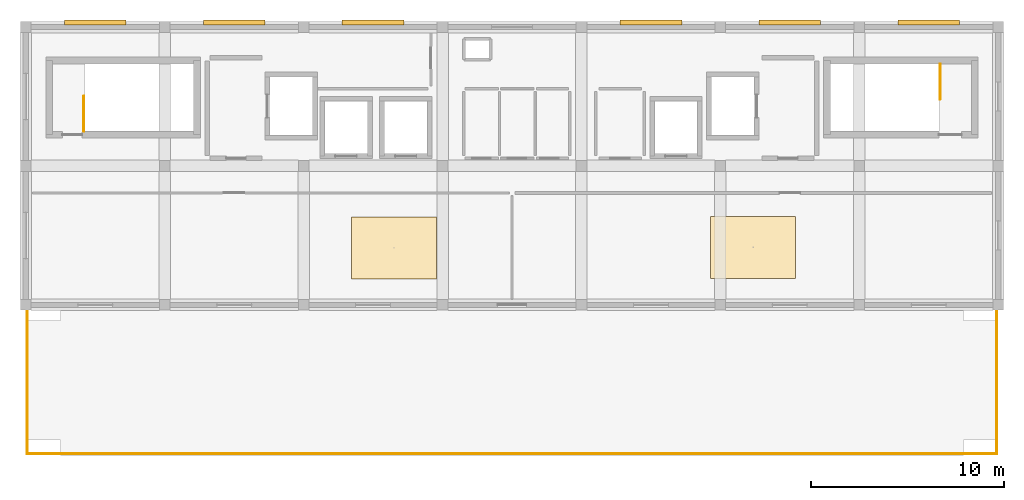
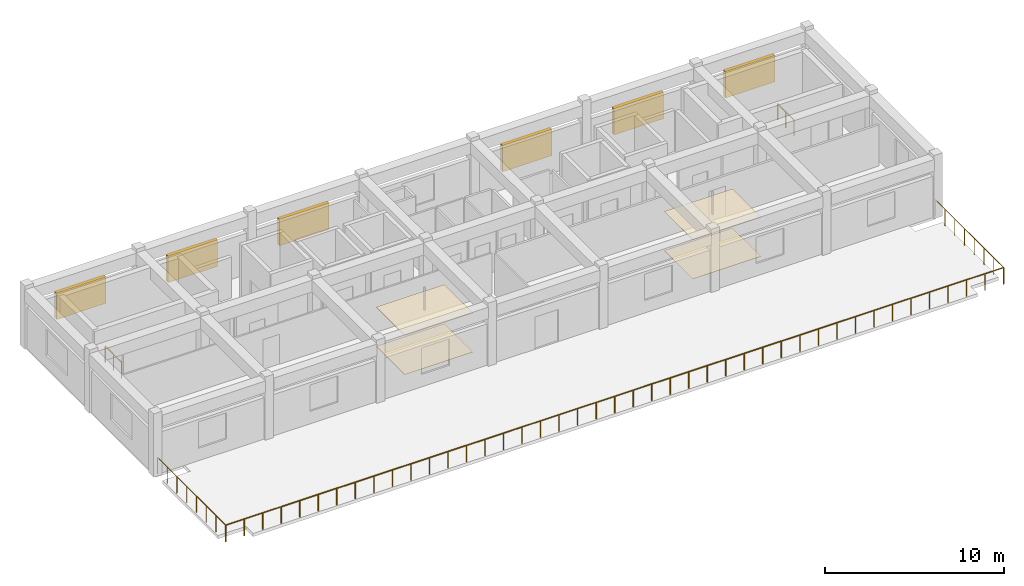
# One storey, part 6 of 6: 6 shading devices, 5 railings, 4 coverings.
"""IFC4 building model written with IfcOpenShell, lengths in metres."""

from ifc_helpers import new_model, si_unit, direction, frame, origin, origin_2d, place, context, subcontext, project, spatial, rectangle, circle, extrude, material, layer, layer_set, type_object, element, save


model = new_model("IFC4")

# Units and contexts
model_context = context("Model", 3, precision=1e-05, world=origin(), true_north=direction((0.0, 1.0)))
body_context = subcontext(model_context, "Body", "Model", "MODEL_VIEW")
ifc_project = project(units=[si_unit("LENGTHUNIT", "METRE"), si_unit("AREAUNIT", "SQUARE_METRE"), si_unit("VOLUMEUNIT", "CUBIC_METRE"), si_unit("PLANEANGLEUNIT", "RADIAN"), si_unit("MASSUNIT", "GRAM", prefix="KILO")], contexts=[model_context])

# Site, building, storey
site_placement = place(None, origin())
site = spatial("IfcSite", under=ifc_project, at=site_placement, CompositionType="ELEMENT")
building_placement = place(site_placement, origin())
building = spatial("IfcBuilding", under=site, at=building_placement, Name="Kazehaya Institute of Natural Sciences", CompositionType="ELEMENT")
storey_placement = place(building_placement, frame((0.0, 0.0, 41.93994140625)))
storey = spatial("IfcBuildingStorey", under=building, at=storey_placement, Name="L09", CompositionType="ELEMENT", Elevation=41.93994140625)

# Coverings
ifc_material_1 = material(Name="Mineral-fibre acoustic ceiling tile")
ifc_layer_1 = layer(ifc_material_1, 0.02490234375, Name="Mineral-fibre acoustic ceiling tile")
ifc_layer_set_1 = layer_set([ifc_layer_1], Name="Mineral-fibre acoustic ceiling tile")
covering_type_1 = type_object("IfcCoveringType", Name="COV-CEIL-AC", PredefinedType="CEILING", material=ifc_layer_set_1)
for number, where, z_axis, x_axis, name in (
    (1, (80.884033203125, 16.951904296875, 2.667724609375), (0.0, 0.0, 1.0), (1.0, 0.0, 0.0), "L09 Research Library and Reading Room ceiling 72"),
    (2, (99.5, 16.97509765625, 2.667724609375), (0.0, 0.0, 1.0), (1.0, 0.0, 0.0), "L09 Senior Fellow Write-up Office ceiling 73"),
):
    element("IfcCovering", number, at=place(storey_placement, frame(where, z_axis=z_axis, x_axis=x_axis)), inside=storey, type_object=covering_type_1, Name=name, PredefinedType="CEILING", context=body_context, shape_type="SweptSolid", body=[
        extrude(rectangle(XDim=4.39990234375, YDim=3.199951171875, at=origin_2d()), origin(), (0.0, 0.0, 1.0), 0.02490234375),
    ])
ifc_material_2 = material(Name="Polished Sawara stone terrazzo flooring", Category="masonry")
ifc_layer_2 = layer(ifc_material_2, 0.02001953125, Name="Polished Sawara stone terrazzo flooring", Category="masonry")
ifc_layer_set_2 = layer_set([ifc_layer_2], Name="Polished Sawara stone terrazzo flooring")
covering_type_2 = type_object("IfcCoveringType", Name="COV-FLR-TRZ", PredefinedType="FLOORING", material=ifc_layer_set_2)
for number, where, z_axis, x_axis, name in (
    (3, (80.884033203125, 16.951904296875, 0.0), (0.0, 0.0, 1.0), (1.0, 0.0, 0.0), "L09 Research Library and Reading Room finish flooring 72"),
    (4, (99.5, 16.97509765625, 0.0), (0.0, 0.0, 1.0), (1.0, 0.0, 0.0), "L09 Senior Fellow Write-up Office finish flooring 73"),
):
    element("IfcCovering", number, at=place(storey_placement, frame(where, z_axis=z_axis, x_axis=x_axis)), inside=storey, type_object=covering_type_2, Name=name, PredefinedType="FLOORING", context=body_context, shape_type="SweptSolid", body=[
        extrude(rectangle(XDim=4.39990234375, YDim=3.199951171875, at=origin_2d()), origin(), (0.0, 0.0, 1.0), 0.02001953125),
    ])

# Railings
ifc_material_3 = material(Name="Precast limestone and bronze balustrade", Category="masonry")
railing_type_1 = type_object("IfcRailingType", Name="RL-GUARD-TER", PredefinedType="BALUSTRADE", material=ifc_material_3)
railing_1_placement = place(storey_placement, frame((61.8798828125, 6.280029296875, 0.0)))
element("IfcRailing", 5, at=railing_1_placement, inside=storey, type_object=railing_type_1, Name="L09 terrace balustrade GRD-L09-028", PredefinedType="BALUSTRADE", context=body_context, shape_type="SweptSolid", body=[
    extrude(circle(Radius=0.02392578125, at=origin_2d()), frame((0.0, 0.0, 1.1259765625), z_axis=(1.0, 0.0, 0.0), x_axis=(0.0, 1.0, 0.0)), (0.0, 0.0, 1.0), 50.240234375),
    extrude(circle(Radius=0.02099609375, at=origin_2d()), origin(), (0.0, 0.0, 1.0), 1.101806640625),
    extrude(circle(Radius=0.02099609375, at=origin_2d()), frame((1.1962890625, 0.0, 0.0)), (0.0, 0.0, 1.0), 1.101806640625),
    extrude(circle(Radius=0.02099609375, at=origin_2d()), frame((2.392333984375, 0.0, 0.0)), (0.0, 0.0, 1.0), 1.101806640625),
    extrude(circle(Radius=0.02099609375, at=origin_2d()), frame((3.588623046875, 0.0, 0.0)), (0.0, 0.0, 1.0), 1.101806640625),
    extrude(circle(Radius=0.02099609375, at=origin_2d()), frame((4.78466796875, 0.0, 0.0)), (0.0, 0.0, 1.0), 1.101806640625),
    extrude(circle(Radius=0.02099609375, at=origin_2d()), frame((5.98095703125, 0.0, 0.0)), (0.0, 0.0, 1.0), 1.101806640625),
    extrude(circle(Radius=0.02099609375, at=origin_2d()), frame((7.17724609375, 0.0, 0.0)), (0.0, 0.0, 1.0), 1.101806640625),
    extrude(circle(Radius=0.02099609375, at=origin_2d()), frame((8.373291015625, 0.0, 0.0)), (0.0, 0.0, 1.0), 1.101806640625),
    extrude(circle(Radius=0.02099609375, at=origin_2d()), frame((9.569580078125, 0.0, 0.0)), (0.0, 0.0, 1.0), 1.101806640625),
    extrude(circle(Radius=0.02099609375, at=origin_2d()), frame((10.765869140625, 0.0, 0.0)), (0.0, 0.0, 1.0), 1.101806640625),
    extrude(circle(Radius=0.02099609375, at=origin_2d()), frame((11.9619140625, 0.0, 0.0)), (0.0, 0.0, 1.0), 1.101806640625),
    extrude(circle(Radius=0.02099609375, at=origin_2d()), frame((13.158203125, 0.0, 0.0)), (0.0, 0.0, 1.0), 1.101806640625),
    extrude(circle(Radius=0.02099609375, at=origin_2d()), frame((14.354248046875, 0.0, 0.0)), (0.0, 0.0, 1.0), 1.101806640625),
    extrude(circle(Radius=0.02099609375, at=origin_2d()), frame((15.550537109375, 0.0, 0.0)), (0.0, 0.0, 1.0), 1.101806640625),
    extrude(circle(Radius=0.02099609375, at=origin_2d()), frame((16.746826171875, 0.0, 0.0)), (0.0, 0.0, 1.0), 1.101806640625),
    extrude(circle(Radius=0.02099609375, at=origin_2d()), frame((17.94287109375, 0.0, 0.0)), (0.0, 0.0, 1.0), 1.101806640625),
    extrude(circle(Radius=0.02099609375, at=origin_2d()), frame((19.13916015625, 0.0, 0.0)), (0.0, 0.0, 1.0), 1.101806640625),
    extrude(circle(Radius=0.02099609375, at=origin_2d()), frame((20.33544921875, 0.0, 0.0)), (0.0, 0.0, 1.0), 1.101806640625),
    extrude(circle(Radius=0.02099609375, at=origin_2d()), frame((21.531494140625, 0.0, 0.0)), (0.0, 0.0, 1.0), 1.101806640625),
    extrude(circle(Radius=0.02099609375, at=origin_2d()), frame((22.727783203125, 0.0, 0.0)), (0.0, 0.0, 1.0), 1.101806640625),
    extrude(circle(Radius=0.02099609375, at=origin_2d()), frame((23.923828125, 0.0, 0.0)), (0.0, 0.0, 1.0), 1.101806640625),
    extrude(circle(Radius=0.02099609375, at=origin_2d()), frame((25.1201171875, 0.0, 0.0)), (0.0, 0.0, 1.0), 1.101806640625),
    extrude(circle(Radius=0.02099609375, at=origin_2d()), frame((26.31640625, 0.0, 0.0)), (0.0, 0.0, 1.0), 1.101806640625),
    extrude(circle(Radius=0.02099609375, at=origin_2d()), frame((27.512451171875, 0.0, 0.0)), (0.0, 0.0, 1.0), 1.101806640625),
    extrude(circle(Radius=0.02099609375, at=origin_2d()), frame((28.708740234375, 0.0, 0.0)), (0.0, 0.0, 1.0), 1.101806640625),
    extrude(circle(Radius=0.02099609375, at=origin_2d()), frame((29.90478515625, 0.0, 0.0)), (0.0, 0.0, 1.0), 1.101806640625),
    extrude(circle(Radius=0.02099609375, at=origin_2d()), frame((31.10107421875, 0.0, 0.0)), (0.0, 0.0, 1.0), 1.101806640625),
    extrude(circle(Radius=0.02099609375, at=origin_2d()), frame((32.29736328125, 0.0, 0.0)), (0.0, 0.0, 1.0), 1.101806640625),
    extrude(circle(Radius=0.02099609375, at=origin_2d()), frame((33.493408203125, 0.0, 0.0)), (0.0, 0.0, 1.0), 1.101806640625),
    extrude(circle(Radius=0.02099609375, at=origin_2d()), frame((34.689697265625, 0.0, 0.0)), (0.0, 0.0, 1.0), 1.101806640625),
    extrude(circle(Radius=0.02099609375, at=origin_2d()), frame((35.885986328125, 0.0, 0.0)), (0.0, 0.0, 1.0), 1.101806640625),
    extrude(circle(Radius=0.02099609375, at=origin_2d()), frame((37.08203125, 0.0, 0.0)), (0.0, 0.0, 1.0), 1.101806640625),
    extrude(circle(Radius=0.02099609375, at=origin_2d()), frame((38.2783203125, 0.0, 0.0)), (0.0, 0.0, 1.0), 1.101806640625),
    extrude(circle(Radius=0.02099609375, at=origin_2d()), frame((39.474365234375, 0.0, 0.0)), (0.0, 0.0, 1.0), 1.101806640625),
    extrude(circle(Radius=0.02099609375, at=origin_2d()), frame((40.670654296875, 0.0, 0.0)), (0.0, 0.0, 1.0), 1.101806640625),
    extrude(circle(Radius=0.02099609375, at=origin_2d()), frame((41.866943359375, 0.0, 0.0)), (0.0, 0.0, 1.0), 1.101806640625),
    extrude(circle(Radius=0.02099609375, at=origin_2d()), frame((43.06298828125, 0.0, 0.0)), (0.0, 0.0, 1.0), 1.101806640625),
    extrude(circle(Radius=0.02099609375, at=origin_2d()), frame((44.25927734375, 0.0, 0.0)), (0.0, 0.0, 1.0), 1.101806640625),
    extrude(circle(Radius=0.02099609375, at=origin_2d()), frame((45.45556640625, 0.0, 0.0)), (0.0, 0.0, 1.0), 1.101806640625),
    extrude(circle(Radius=0.02099609375, at=origin_2d()), frame((46.651611328125, 0.0, 0.0)), (0.0, 0.0, 1.0), 1.101806640625),
    extrude(circle(Radius=0.02099609375, at=origin_2d()), frame((47.847900390625, 0.0, 0.0)), (0.0, 0.0, 1.0), 1.101806640625),
    extrude(circle(Radius=0.02099609375, at=origin_2d()), frame((49.0439453125, 0.0, 0.0)), (0.0, 0.0, 1.0), 1.101806640625),
    extrude(circle(Radius=0.02099609375, at=origin_2d()), frame((50.240234375, 0.0, 0.0)), (0.0, 0.0, 1.0), 1.101806640625),
])
railing_2_placement = place(storey_placement, frame((61.8798828125, 13.919921875, 0.0)))
element("IfcRailing", 6, at=railing_2_placement, inside=storey, type_object=railing_type_1, Name="L09 terrace balustrade GRD-L09-029", PredefinedType="BALUSTRADE", context=body_context, shape_type="SweptSolid", body=[
    extrude(circle(Radius=0.02392578125, at=origin_2d()), frame((0.0, 0.0, 1.1259765625), z_axis=(0.0, -1.0, 0.0), x_axis=(1.0, 0.0, 0.0)), (0.0, 0.0, 1.0), 7.639892578125),
    extrude(circle(Radius=0.02099609375, at=origin_2d()), origin(), (0.0, 0.0, 1.0), 1.101806640625),
    extrude(circle(Radius=0.02099609375, at=origin_2d()), frame((0.0, -1.09130859375, 0.0)), (0.0, 0.0, 1.0), 1.101806640625),
    extrude(circle(Radius=0.02099609375, at=origin_2d()), frame((0.0, -2.182861328125, 0.0)), (0.0, 0.0, 1.0), 1.101806640625),
    extrude(circle(Radius=0.02099609375, at=origin_2d()), frame((0.0, -3.274169921875, 0.0)), (0.0, 0.0, 1.0), 1.101806640625),
    extrude(circle(Radius=0.02099609375, at=origin_2d()), frame((0.0, -4.36572265625, 0.0)), (0.0, 0.0, 1.0), 1.101806640625),
    extrude(circle(Radius=0.02099609375, at=origin_2d()), frame((0.0, -5.45703125, 0.0)), (0.0, 0.0, 1.0), 1.101806640625),
    extrude(circle(Radius=0.02099609375, at=origin_2d()), frame((0.0, -6.548583984375, 0.0)), (0.0, 0.0, 1.0), 1.101806640625),
    extrude(circle(Radius=0.02099609375, at=origin_2d()), frame((0.0, -7.639892578125, 0.0)), (0.0, 0.0, 1.0), 1.101806640625),
])
railing_3_placement = place(storey_placement, frame((112.1201171875, 6.280029296875, 0.0)))
element("IfcRailing", 7, at=railing_3_placement, inside=storey, type_object=railing_type_1, Name="L09 terrace balustrade GRD-L09-030", PredefinedType="BALUSTRADE", context=body_context, shape_type="SweptSolid", body=[
    extrude(circle(Radius=0.02392578125, at=origin_2d()), frame((0.0, 0.0, 1.1259765625), z_axis=(0.0, 1.0, 0.0), x_axis=(-1.0, 0.0, 0.0)), (0.0, 0.0, 1.0), 7.639892578125),
    extrude(circle(Radius=0.02099609375, at=origin_2d()), origin(), (0.0, 0.0, 1.0), 1.101806640625),
    extrude(circle(Radius=0.02099609375, at=origin_2d()), frame((0.0, 1.09130859375, 0.0)), (0.0, 0.0, 1.0), 1.101806640625),
    extrude(circle(Radius=0.02099609375, at=origin_2d()), frame((0.0, 2.182861328125, 0.0)), (0.0, 0.0, 1.0), 1.101806640625),
    extrude(circle(Radius=0.02099609375, at=origin_2d()), frame((0.0, 3.274169921875, 0.0)), (0.0, 0.0, 1.0), 1.101806640625),
    extrude(circle(Radius=0.02099609375, at=origin_2d()), frame((0.0, 4.36572265625, 0.0)), (0.0, 0.0, 1.0), 1.101806640625),
    extrude(circle(Radius=0.02099609375, at=origin_2d()), frame((0.0, 5.45703125, 0.0)), (0.0, 0.0, 1.0), 1.101806640625),
    extrude(circle(Radius=0.02099609375, at=origin_2d()), frame((0.0, 6.548583984375, 0.0)), (0.0, 0.0, 1.0), 1.101806640625),
    extrude(circle(Radius=0.02099609375, at=origin_2d()), frame((0.0, 7.639892578125, 0.0)), (0.0, 0.0, 1.0), 1.101806640625),
])
ifc_material_4 = material(Name="Structural steel SN490B", Category="steel")
railing_type_2 = type_object("IfcRailingType", Name="RL-STAIR-GRD", PredefinedType="GUARDRAIL", material=ifc_material_4)
railing_4_placement = place(storey_placement, frame((64.81005859375, 23.0, 0.0)))
element("IfcRailing", 8, at=railing_4_placement, inside=storey, type_object=railing_type_2, Name="L09 ST-1 top well guard 1", PredefinedType="GUARDRAIL", context=body_context, shape_type="SweptSolid", body=[
    extrude(circle(Radius=0.02392578125, at=origin_2d()), frame((0.0, 0.0, 1.076171875), z_axis=(0.0, 1.0, 0.0), x_axis=(-1.0, 0.0, 0.0)), (0.0, 0.0, 1.0), 1.820068359375),
    extrude(circle(Radius=0.02099609375, at=origin_2d()), origin(), (0.0, 0.0, 1.0), 1.052001953125),
    extrude(circle(Radius=0.02099609375, at=origin_2d()), frame((0.0, 0.91015625, 0.0)), (0.0, 0.0, 1.0), 1.052001953125),
    extrude(circle(Radius=0.02099609375, at=origin_2d()), frame((0.0, 1.820068359375, 0.0)), (0.0, 0.0, 1.0), 1.052001953125),
])
railing_5_placement = place(storey_placement, frame((109.18994140625, 26.47998046875, 0.0)))
element("IfcRailing", 9, at=railing_5_placement, inside=storey, type_object=railing_type_2, Name="L09 ST-2 top well guard 1", PredefinedType="GUARDRAIL", context=body_context, shape_type="SweptSolid", body=[
    extrude(circle(Radius=0.02392578125, at=origin_2d()), frame((0.0, 0.0, 1.076171875), z_axis=(0.0, -1.0, 0.0), x_axis=(1.0, 0.0, 0.0)), (0.0, 0.0, 1.0), 1.820068359375),
    extrude(circle(Radius=0.02099609375, at=origin_2d()), origin(), (0.0, 0.0, 1.0), 1.052001953125),
    extrude(circle(Radius=0.02099609375, at=origin_2d()), frame((0.0, -0.91015625, 0.0)), (0.0, 0.0, 1.0), 1.052001953125),
    extrude(circle(Radius=0.02099609375, at=origin_2d()), frame((0.0, -1.820068359375, 0.0)), (0.0, 0.0, 1.0), 1.052001953125),
])

# Shading devices
ifc_material_5 = material(Name="Bronze-anodised aluminium alloy A6063S-T5", Category="aluminium")
shading_device_type = type_object("IfcShadingDeviceType", Name="SHD-LOUVRE-01", PredefinedType="JALOUSIE", material=ifc_material_5)
for number, where, z_axis, x_axis, name in (
    (10, (65.39990234375, 28.639892578125, 1.0), (0.0, 0.0, 1.0), (1.0, 0.0, 0.0), "L09 storm-louvred mechanical screen 1"),
    (11, (72.60009765625, 28.639892578125, 1.0), (0.0, 0.0, 1.0), (1.0, 0.0, 0.0), "L09 storm-louvred mechanical screen 2"),
    (12, (79.800048828125, 28.639892578125, 1.0), (0.0, 0.0, 1.0), (1.0, 0.0, 0.0), "L09 storm-louvred mechanical screen 3"),
    (13, (94.199951171875, 28.639892578125, 1.0), (0.0, 0.0, 1.0), (1.0, 0.0, 0.0), "L09 storm-louvred mechanical screen 5"),
    (14, (101.39990234375, 28.639892578125, 1.0), (0.0, 0.0, 1.0), (1.0, 0.0, 0.0), "L09 storm-louvred mechanical screen 6"),
    (15, (108.60009765625, 28.639892578125, 1.0), (0.0, 0.0, 1.0), (1.0, 0.0, 0.0), "L09 storm-louvred mechanical screen 7"),
):
    element("IfcShadingDevice", number, at=place(storey_placement, frame(where, z_axis=z_axis, x_axis=x_axis)), inside=storey, type_object=shading_device_type, Name=name, PredefinedType="JALOUSIE", context=body_context, shape_type="SweptSolid", body=[
        extrude(rectangle(XDim=3.199951171875, YDim=0.25, at=origin_2d()), origin(), (0.0, 0.0, 1.0), 1.800048828125),
    ])

save(model, "model.ifc")
